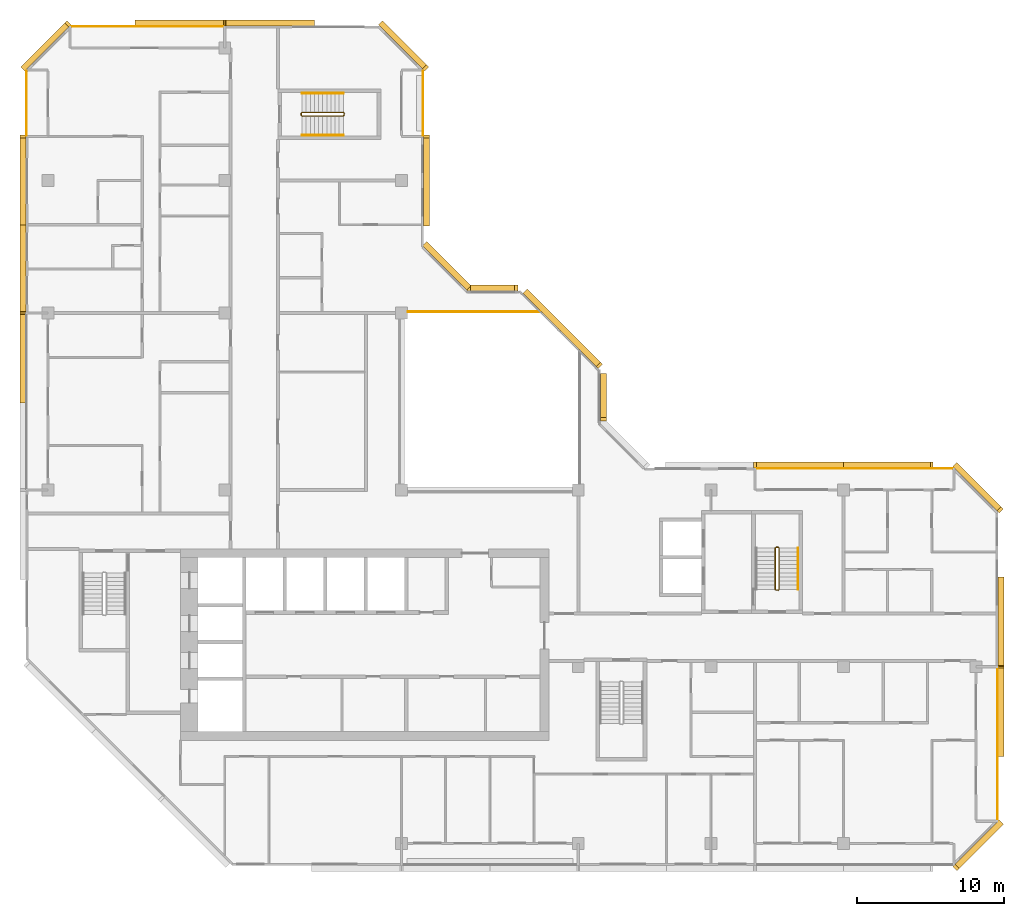
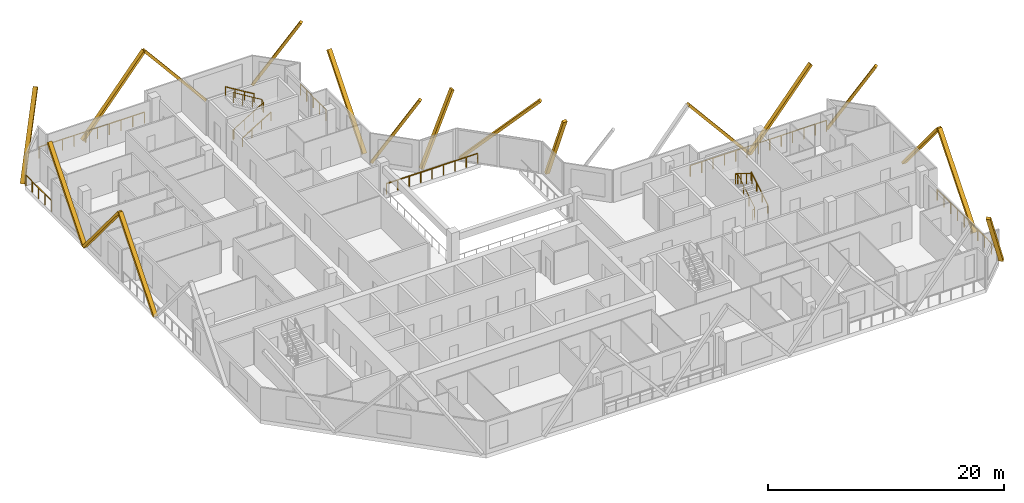
# One storey, part 13 of 13: 18 coverings, 11 railings.
"""IFC4 building model written with IfcOpenShell, lengths in metres."""

from ifc_helpers import new_model, si_unit, direction, frame, origin, origin_2d, place, context, subcontext, project, spatial, rectangle, extrude, material, material_profile, profile_set, type_object, element, save


model = new_model("IFC4")

# Units and contexts
model_context = context("Model", 3, precision=1e-05, world=origin(), true_north=direction((0.0, 1.0)))
body_context = subcontext(model_context, "Body", "Model", "MODEL_VIEW")
ifc_project = project(units=[si_unit("LENGTHUNIT", "METRE"), si_unit("AREAUNIT", "SQUARE_METRE"), si_unit("VOLUMEUNIT", "CUBIC_METRE"), si_unit("PLANEANGLEUNIT", "RADIAN"), si_unit("MASSUNIT", "GRAM", prefix="KILO")], contexts=[model_context])

# Site, building, storey
site_placement = place(None, origin())
site = spatial("IfcSite", under=ifc_project, at=site_placement, CompositionType="ELEMENT")
building_placement = place(site_placement, origin())
building = spatial("IfcBuilding", under=site, at=building_placement, Name="Chenar Terraces", CompositionType="ELEMENT")
storey_placement = place(building_placement, frame((0.0, 0.0, 288.39990234375)))
storey = spatial("IfcBuildingStorey", under=building, at=storey_placement, Name="L67", CompositionType="ELEMENT", Elevation=288.39990234375)

# Railings
ifc_material_1 = material(Name="Powder-coated steel", Category="steel")
railing_type_1 = type_object("IfcRailingType", Name="Guard 1100 steel rail with glass infill", PredefinedType="GUARDRAIL", material=ifc_material_1)
railing_1_placement = place(storey_placement, frame((24.449951171875, 36.10009765625, 0.0)))
element("IfcRailing", 1, at=railing_1_placement, inside=storey, type_object=railing_type_1, Name="Guard L67-2", PredefinedType="GUARDRAIL", context=body_context, shape_type="SweptSolid", body=[
    extrude(rectangle(XDim=0.06005859375, YDim=0.06005859375, at=origin_2d()), frame((0.0, 0.0, 1.070068359375), z_axis=(1.0, 0.0, 0.0), x_axis=(0.0, 1.0, 0.0)), (0.0, 0.0, 1.0), 8.949951171875),
    extrude(rectangle(XDim=0.050048828125, YDim=0.050048828125, at=origin_2d()), origin(), (0.0, 0.0, 1.0), 1.0400390625),
    extrude(rectangle(XDim=0.050048828125, YDim=0.050048828125, at=origin_2d()), frame((1.11865234375, 0.0, 0.0)), (0.0, 0.0, 1.0), 1.0400390625),
    extrude(rectangle(XDim=0.050048828125, YDim=0.050048828125, at=origin_2d()), frame((2.237548828125, 0.0, 0.0)), (0.0, 0.0, 1.0), 1.0400390625),
    extrude(rectangle(XDim=0.050048828125, YDim=0.050048828125, at=origin_2d()), frame((3.356201171875, 0.0, 0.0)), (0.0, 0.0, 1.0), 1.0400390625),
    extrude(rectangle(XDim=0.050048828125, YDim=0.050048828125, at=origin_2d()), frame((4.47509765625, 0.0, 0.0)), (0.0, 0.0, 1.0), 1.0400390625),
    extrude(rectangle(XDim=0.050048828125, YDim=0.050048828125, at=origin_2d()), frame((5.59375, 0.0, 0.0)), (0.0, 0.0, 1.0), 1.0400390625),
    extrude(rectangle(XDim=0.050048828125, YDim=0.050048828125, at=origin_2d()), frame((6.71240234375, 0.0, 0.0)), (0.0, 0.0, 1.0), 1.0400390625),
    extrude(rectangle(XDim=0.050048828125, YDim=0.050048828125, at=origin_2d()), frame((7.831298828125, 0.0, 0.0)), (0.0, 0.0, 1.0), 1.0400390625),
    extrude(rectangle(XDim=0.050048828125, YDim=0.050048828125, at=origin_2d()), frame((8.949951171875, 0.0, 0.0)), (0.0, 0.0, 1.0), 1.0400390625),
])
ifc_material_2 = material(Name="Stainless steel and glass", Category="steel")
railing_type_2 = type_object("IfcRailingType", Name="Loggia guard 1150", PredefinedType="GUARDRAIL", material=ifc_material_2)
railing_2_placement = place(storey_placement, frame((25.449951171875, 48.074951171875, 0.0)))
element("IfcRailing", 2, at=railing_2_placement, inside=storey, type_object=railing_type_2, Name="Loggia guard", PredefinedType="GUARDRAIL", context=body_context, shape_type="SweptSolid", body=[
    extrude(rectangle(XDim=0.048095703125, YDim=0.048095703125, at=origin_2d()), frame((0.0, 0.0, 1.1259765625), z_axis=(0.0, 1.0, 0.0), x_axis=(-1.0, 0.0, 0.0)), (0.0, 0.0, 1.0), 4.35009765625),
    extrude(rectangle(XDim=0.0419921875, YDim=0.0419921875, at=origin_2d()), origin(), (0.0, 0.0, 1.0), 1.101806640625),
    extrude(rectangle(XDim=0.0419921875, YDim=0.0419921875, at=origin_2d()), frame((0.0, 1.08740234375, 0.0)), (0.0, 0.0, 1.0), 1.101806640625),
    extrude(rectangle(XDim=0.0419921875, YDim=0.0419921875, at=origin_2d()), frame((0.0, 2.175048828125, 0.0)), (0.0, 0.0, 1.0), 1.101806640625),
    extrude(rectangle(XDim=0.0419921875, YDim=0.0419921875, at=origin_2d()), frame((0.0, 3.2626953125, 0.0)), (0.0, 0.0, 1.0), 1.101806640625),
    extrude(rectangle(XDim=0.0419921875, YDim=0.0419921875, at=origin_2d()), frame((0.0, 4.35009765625, 0.0)), (0.0, 0.0, 1.0), 1.101806640625),
])
railing_3_placement = place(storey_placement, frame((64.449951171875, 1.574951171875, 0.0)))
element("IfcRailing", 3, at=railing_3_placement, inside=storey, type_object=railing_type_2, Name="Loggia guard", PredefinedType="GUARDRAIL", context=body_context, shape_type="SweptSolid", body=[
    extrude(rectangle(XDim=0.048095703125, YDim=0.048095703125, at=origin_2d()), frame((0.0, 0.0, 1.1259765625), z_axis=(0.0, 1.0, 0.0), x_axis=(-1.0, 0.0, 0.0)), (0.0, 0.0, 1.0), 10.35009765625),
    extrude(rectangle(XDim=0.0419921875, YDim=0.0419921875, at=origin_2d()), origin(), (0.0, 0.0, 1.0), 1.101806640625),
    extrude(rectangle(XDim=0.0419921875, YDim=0.0419921875, at=origin_2d()), frame((0.0, 1.14990234375, 0.0)), (0.0, 0.0, 1.0), 1.101806640625),
    extrude(rectangle(XDim=0.0419921875, YDim=0.0419921875, at=origin_2d()), frame((0.0, 2.300048828125, 0.0)), (0.0, 0.0, 1.0), 1.101806640625),
    extrude(rectangle(XDim=0.0419921875, YDim=0.0419921875, at=origin_2d()), frame((0.0, 3.449951171875, 0.0)), (0.0, 0.0, 1.0), 1.101806640625),
    extrude(rectangle(XDim=0.0419921875, YDim=0.0419921875, at=origin_2d()), frame((0.0, 4.60009765625, 0.0)), (0.0, 0.0, 1.0), 1.101806640625),
    extrude(rectangle(XDim=0.0419921875, YDim=0.0419921875, at=origin_2d()), frame((0.0, 5.75, 0.0)), (0.0, 0.0, 1.0), 1.101806640625),
    extrude(rectangle(XDim=0.0419921875, YDim=0.0419921875, at=origin_2d()), frame((0.0, 6.900146484375, 0.0)), (0.0, 0.0, 1.0), 1.101806640625),
    extrude(rectangle(XDim=0.0419921875, YDim=0.0419921875, at=origin_2d()), frame((0.0, 8.050048828125, 0.0)), (0.0, 0.0, 1.0), 1.101806640625),
    extrude(rectangle(XDim=0.0419921875, YDim=0.0419921875, at=origin_2d()), frame((0.0, 9.2001953125, 0.0)), (0.0, 0.0, 1.0), 1.101806640625),
    extrude(rectangle(XDim=0.0419921875, YDim=0.0419921875, at=origin_2d()), frame((0.0, 10.35009765625, 0.0)), (0.0, 0.0, 1.0), 1.101806640625),
])
railing_4_placement = place(storey_placement, frame((61.425048828125, 25.449951171875, 0.0)))
element("IfcRailing", 4, at=railing_4_placement, inside=storey, type_object=railing_type_2, Name="Loggia guard", PredefinedType="GUARDRAIL", context=body_context, shape_type="SweptSolid", body=[
    extrude(rectangle(XDim=0.048095703125, YDim=0.048095703125, at=origin_2d()), frame((0.0, 0.0, 1.1259765625), z_axis=(-1.0, 0.0, 0.0), x_axis=(0.0, -1.0, 0.0)), (0.0, 0.0, 1.0), 13.35009765625),
    extrude(rectangle(XDim=0.0419921875, YDim=0.0419921875, at=origin_2d()), origin(), (0.0, 0.0, 1.0), 1.101806640625),
    extrude(rectangle(XDim=0.0419921875, YDim=0.0419921875, at=origin_2d()), frame((-1.112548828125, 0.0, 0.0)), (0.0, 0.0, 1.0), 1.101806640625),
    extrude(rectangle(XDim=0.0419921875, YDim=0.0419921875, at=origin_2d()), frame((-2.22509765625, 0.0, 0.0)), (0.0, 0.0, 1.0), 1.101806640625),
    extrude(rectangle(XDim=0.0419921875, YDim=0.0419921875, at=origin_2d()), frame((-3.33740234375, 0.0, 0.0)), (0.0, 0.0, 1.0), 1.101806640625),
    extrude(rectangle(XDim=0.0419921875, YDim=0.0419921875, at=origin_2d()), frame((-4.449951171875, 0.0, 0.0)), (0.0, 0.0, 1.0), 1.101806640625),
    extrude(rectangle(XDim=0.0419921875, YDim=0.0419921875, at=origin_2d()), frame((-5.5625, 0.0, 0.0)), (0.0, 0.0, 1.0), 1.101806640625),
    extrude(rectangle(XDim=0.0419921875, YDim=0.0419921875, at=origin_2d()), frame((-6.675048828125, 0.0, 0.0)), (0.0, 0.0, 1.0), 1.101806640625),
    extrude(rectangle(XDim=0.0419921875, YDim=0.0419921875, at=origin_2d()), frame((-7.78759765625, 0.0, 0.0)), (0.0, 0.0, 1.0), 1.101806640625),
    extrude(rectangle(XDim=0.0419921875, YDim=0.0419921875, at=origin_2d()), frame((-8.900146484375, 0.0, 0.0)), (0.0, 0.0, 1.0), 1.101806640625),
    extrude(rectangle(XDim=0.0419921875, YDim=0.0419921875, at=origin_2d()), frame((-10.0126953125, 0.0, 0.0)), (0.0, 0.0, 1.0), 1.101806640625),
    extrude(rectangle(XDim=0.0419921875, YDim=0.0419921875, at=origin_2d()), frame((-11.125, 0.0, 0.0)), (0.0, 0.0, 1.0), 1.101806640625),
    extrude(rectangle(XDim=0.0419921875, YDim=0.0419921875, at=origin_2d()), frame((-12.237548828125, 0.0, 0.0)), (0.0, 0.0, 1.0), 1.101806640625),
    extrude(rectangle(XDim=0.0419921875, YDim=0.0419921875, at=origin_2d()), frame((-13.35009765625, 0.0, 0.0)), (0.0, 0.0, 1.0), 1.101806640625),
])
railing_5_placement = place(storey_placement, frame((11.925048828125, 55.449951171875, 0.0)))
element("IfcRailing", 5, at=railing_5_placement, inside=storey, type_object=railing_type_2, Name="Loggia guard", PredefinedType="GUARDRAIL", context=body_context, shape_type="SweptSolid", body=[
    extrude(rectangle(XDim=0.048095703125, YDim=0.048095703125, at=origin_2d()), frame((0.0, 0.0, 1.1259765625), z_axis=(-1.0, 0.0, 0.0), x_axis=(0.0, -1.0, 0.0)), (0.0, 0.0, 1.0), 10.35009765625),
    extrude(rectangle(XDim=0.0419921875, YDim=0.0419921875, at=origin_2d()), origin(), (0.0, 0.0, 1.0), 1.101806640625),
    extrude(rectangle(XDim=0.0419921875, YDim=0.0419921875, at=origin_2d()), frame((-1.14990234375, 0.0, 0.0)), (0.0, 0.0, 1.0), 1.101806640625),
    extrude(rectangle(XDim=0.0419921875, YDim=0.0419921875, at=origin_2d()), frame((-2.300048828125, 0.0, 0.0)), (0.0, 0.0, 1.0), 1.101806640625),
    extrude(rectangle(XDim=0.0419921875, YDim=0.0419921875, at=origin_2d()), frame((-3.449951171875, 0.0, 0.0)), (0.0, 0.0, 1.0), 1.101806640625),
    extrude(rectangle(XDim=0.0419921875, YDim=0.0419921875, at=origin_2d()), frame((-4.60009765625, 0.0, 0.0)), (0.0, 0.0, 1.0), 1.101806640625),
    extrude(rectangle(XDim=0.0419921875, YDim=0.0419921875, at=origin_2d()), frame((-5.75, 0.0, 0.0)), (0.0, 0.0, 1.0), 1.101806640625),
    extrude(rectangle(XDim=0.0419921875, YDim=0.0419921875, at=origin_2d()), frame((-6.900146484375, 0.0, 0.0)), (0.0, 0.0, 1.0), 1.101806640625),
    extrude(rectangle(XDim=0.0419921875, YDim=0.0419921875, at=origin_2d()), frame((-8.050048828125, 0.0, 0.0)), (0.0, 0.0, 1.0), 1.101806640625),
    extrude(rectangle(XDim=0.0419921875, YDim=0.0419921875, at=origin_2d()), frame((-9.2001953125, 0.0, 0.0)), (0.0, 0.0, 1.0), 1.101806640625),
    extrude(rectangle(XDim=0.0419921875, YDim=0.0419921875, at=origin_2d()), frame((-10.35009765625, 0.0, 0.0)), (0.0, 0.0, 1.0), 1.101806640625),
])
railing_6_placement = place(storey_placement, frame((-1.449951171875, 52.425048828125, 0.0)))
element("IfcRailing", 6, at=railing_6_placement, inside=storey, type_object=railing_type_2, Name="Loggia guard", PredefinedType="GUARDRAIL", context=body_context, shape_type="SweptSolid", body=[
    extrude(rectangle(XDim=0.048095703125, YDim=0.048095703125, at=origin_2d()), frame((0.0, 0.0, 1.1259765625), z_axis=(0.0, -1.0, 0.0), x_axis=(1.0, 0.0, 0.0)), (0.0, 0.0, 1.0), 4.35009765625),
    extrude(rectangle(XDim=0.0419921875, YDim=0.0419921875, at=origin_2d()), origin(), (0.0, 0.0, 1.0), 1.101806640625),
    extrude(rectangle(XDim=0.0419921875, YDim=0.0419921875, at=origin_2d()), frame((0.0, -1.08740234375, 0.0)), (0.0, 0.0, 1.0), 1.101806640625),
    extrude(rectangle(XDim=0.0419921875, YDim=0.0419921875, at=origin_2d()), frame((0.0, -2.175048828125, 0.0)), (0.0, 0.0, 1.0), 1.101806640625),
    extrude(rectangle(XDim=0.0419921875, YDim=0.0419921875, at=origin_2d()), frame((0.0, -3.2626953125, 0.0)), (0.0, 0.0, 1.0), 1.101806640625),
    extrude(rectangle(XDim=0.0419921875, YDim=0.0419921875, at=origin_2d()), frame((0.0, -4.35009765625, 0.0)), (0.0, 0.0, 1.0), 1.101806640625),
])
ifc_material_3 = material(Name="Powder-coated steel", Category="steel")
railing_type_3 = type_object("IfcRailingType", Name="Stair guard 1100", PredefinedType="GUARDRAIL", material=ifc_material_3)
railing_7_placement = place(storey_placement, frame((49.375, 17.25, 3.75)))
element("IfcRailing", 7, at=railing_7_placement, inside=storey, type_object=railing_type_3, Name="L67 ST3 stair guard 1", PredefinedType="GUARDRAIL", context=body_context, shape_type="SweptSolid", body=[
    extrude(rectangle(XDim=0.048095703125, YDim=0.048095703125, at=origin_2d()), frame((0.0, 0.0, 1.076171875), z_axis=(0.0, 0.854202870247, -0.519939858505), x_axis=(-1.0, 0.0, 0.0)), (0.0, 0.0, 1.0), 3.278076171875),
    extrude(rectangle(XDim=0.048095703125, YDim=0.048095703125, at=origin_2d()), frame((0.0, 2.800048828125, -0.62841796875), z_axis=(0.270899902878, 0.270899902878, -0.923702595667), x_axis=(-0.707106781187, 0.707106781187, 0.0)), (0.0, 0.0, 1.0), 0.184814453125),
    extrude(rectangle(XDim=0.048095703125, YDim=0.048095703125, at=origin_2d()), frame((0.050048828125, 2.85009765625, -0.798828125), z_axis=(1.0, 0.0, 0.0), x_axis=(0.0, 1.0, 0.0)), (0.0, 0.0, 1.0), 0.14990234375),
    extrude(rectangle(XDim=0.048095703125, YDim=0.048095703125, at=origin_2d()), frame((0.199951171875, 2.85009765625, -0.798828125), z_axis=(0.707106781187, -0.707106781187, 0.0), x_axis=(0.707106781187, 0.707106781187, 0.0)), (0.0, 0.0, 1.0), 0.07080078125),
    extrude(rectangle(XDim=0.048095703125, YDim=0.048095703125, at=origin_2d()), frame((0.25, 2.800048828125, -0.798828125), z_axis=(0.0, -0.854202870247, -0.519939858505), x_axis=(1.0, 0.0, 0.0)), (0.0, 0.0, 1.0), 3.278076171875),
    extrude(rectangle(XDim=0.048095703125, YDim=0.048095703125, at=origin_2d()), frame((0.25, 0.0, -2.50341796875), z_axis=(-0.270899902878, -0.270899902878, -0.923702595667), x_axis=(0.707106781187, -0.707106781187, 0.0)), (0.0, 0.0, 1.0), 0.184814453125),
    extrude(rectangle(XDim=0.048095703125, YDim=0.048095703125, at=origin_2d()), frame((0.199951171875, -0.050048828125, -2.673828125), z_axis=(-1.0, 0.0, 0.0), x_axis=(0.0, -1.0, 0.0)), (0.0, 0.0, 1.0), 0.14990234375),
    extrude(rectangle(XDim=0.0419921875, YDim=0.0419921875, at=origin_2d()), origin(), (0.0, 0.0, 1.0), 1.052001953125),
    extrude(rectangle(XDim=0.0419921875, YDim=0.0419921875, at=origin_2d()), frame((0.0, 0.933349609375, -0.568115234375)), (0.0, 0.0, 1.0), 1.052001953125),
    extrude(rectangle(XDim=0.0419921875, YDim=0.0419921875, at=origin_2d()), frame((0.0, 1.86669921875, -1.13623046875)), (0.0, 0.0, 1.0), 1.052001953125),
    extrude(rectangle(XDim=0.0419921875, YDim=0.0419921875, at=origin_2d()), frame((0.0, 2.800048828125, -1.704345703125)), (0.0, 0.0, 1.0), 1.052001953125),
    extrude(rectangle(XDim=0.0419921875, YDim=0.0419921875, at=origin_2d()), frame((0.050048828125, 2.85009765625, -1.875)), (0.0, 0.0, 1.0), 1.052001953125),
    extrude(rectangle(XDim=0.0419921875, YDim=0.0419921875, at=origin_2d()), frame((0.199951171875, 2.85009765625, -1.875)), (0.0, 0.0, 1.0), 1.052001953125),
    extrude(rectangle(XDim=0.0419921875, YDim=0.0419921875, at=origin_2d()), frame((0.25, 2.800048828125, -1.875)), (0.0, 0.0, 1.0), 1.052001953125),
    extrude(rectangle(XDim=0.0419921875, YDim=0.0419921875, at=origin_2d()), frame((0.25, 1.86669921875, -2.443115234375)), (0.0, 0.0, 1.0), 1.052001953125),
    extrude(rectangle(XDim=0.0419921875, YDim=0.0419921875, at=origin_2d()), frame((0.25, 0.933349609375, -3.01123046875)), (0.0, 0.0, 1.0), 1.052001953125),
    extrude(rectangle(XDim=0.0419921875, YDim=0.0419921875, at=origin_2d()), frame((0.25, 0.0, -3.579345703125)), (0.0, 0.0, 1.0), 1.052001953125),
    extrude(rectangle(XDim=0.0419921875, YDim=0.0419921875, at=origin_2d()), frame((0.199951171875, -0.050048828125, -3.75)), (0.0, 0.0, 1.0), 1.052001953125),
    extrude(rectangle(XDim=0.0419921875, YDim=0.0419921875, at=origin_2d()), frame((0.050048828125, -0.050048828125, -3.75)), (0.0, 0.0, 1.0), 1.052001953125),
])
railing_8_placement = place(storey_placement, frame((17.25, 49.625, 3.75)))
element("IfcRailing", 8, at=railing_8_placement, inside=storey, type_object=railing_type_3, Name="L67 ST4 stair guard 1", PredefinedType="GUARDRAIL", context=body_context, shape_type="SweptSolid", body=[
    extrude(rectangle(XDim=0.048095703125, YDim=0.048095703125, at=origin_2d()), frame((0.0, 0.0, 1.076171875), z_axis=(0.854202870247, 0.0, -0.519939858505), x_axis=(0.0, 1.0, 0.0)), (0.0, 0.0, 1.0), 3.278076171875),
    extrude(rectangle(XDim=0.048095703125, YDim=0.048095703125, at=origin_2d()), frame((2.800048828125, 0.0, -0.62841796875), z_axis=(0.270899902878, -0.270899902878, -0.923702595667), x_axis=(0.707106781187, 0.707106781187, 0.0)), (0.0, 0.0, 1.0), 0.184814453125),
    extrude(rectangle(XDim=0.048095703125, YDim=0.048095703125, at=origin_2d()), frame((2.85009765625, -0.050048828125, -0.798828125), z_axis=(0.0, -1.0, 0.0), x_axis=(1.0, 0.0, 0.0)), (0.0, 0.0, 1.0), 0.14990234375),
    extrude(rectangle(XDim=0.048095703125, YDim=0.048095703125, at=origin_2d()), frame((2.85009765625, -0.199951171875, -0.798828125), z_axis=(-0.707106781187, -0.707106781187, 0.0), x_axis=(0.707106781187, -0.707106781187, 0.0)), (0.0, 0.0, 1.0), 0.07080078125),
    extrude(rectangle(XDim=0.048095703125, YDim=0.048095703125, at=origin_2d()), frame((2.800048828125, -0.25, -0.798828125), z_axis=(-0.854202870247, 0.0, -0.519939858505), x_axis=(0.0, -1.0, 0.0)), (0.0, 0.0, 1.0), 3.278076171875),
    extrude(rectangle(XDim=0.048095703125, YDim=0.048095703125, at=origin_2d()), frame((0.0, -0.25, -2.50341796875), z_axis=(-0.270899902878, 0.270899902878, -0.923702595667), x_axis=(-0.707106781187, -0.707106781187, 0.0)), (0.0, 0.0, 1.0), 0.184814453125),
    extrude(rectangle(XDim=0.048095703125, YDim=0.048095703125, at=origin_2d()), frame((-0.050048828125, -0.199951171875, -2.673828125), z_axis=(0.0, 1.0, 0.0), x_axis=(-1.0, 0.0, 0.0)), (0.0, 0.0, 1.0), 0.14990234375),
    extrude(rectangle(XDim=0.0419921875, YDim=0.0419921875, at=origin_2d()), origin(), (0.0, 0.0, 1.0), 1.052001953125),
    extrude(rectangle(XDim=0.0419921875, YDim=0.0419921875, at=origin_2d()), frame((0.933349609375, 0.0, -0.568115234375)), (0.0, 0.0, 1.0), 1.052001953125),
    extrude(rectangle(XDim=0.0419921875, YDim=0.0419921875, at=origin_2d()), frame((1.86669921875, 0.0, -1.13623046875)), (0.0, 0.0, 1.0), 1.052001953125),
    extrude(rectangle(XDim=0.0419921875, YDim=0.0419921875, at=origin_2d()), frame((2.800048828125, 0.0, -1.704345703125)), (0.0, 0.0, 1.0), 1.052001953125),
    extrude(rectangle(XDim=0.0419921875, YDim=0.0419921875, at=origin_2d()), frame((2.85009765625, -0.050048828125, -1.875)), (0.0, 0.0, 1.0), 1.052001953125),
    extrude(rectangle(XDim=0.0419921875, YDim=0.0419921875, at=origin_2d()), frame((2.85009765625, -0.199951171875, -1.875)), (0.0, 0.0, 1.0), 1.052001953125),
    extrude(rectangle(XDim=0.0419921875, YDim=0.0419921875, at=origin_2d()), frame((2.800048828125, -0.25, -1.875)), (0.0, 0.0, 1.0), 1.052001953125),
    extrude(rectangle(XDim=0.0419921875, YDim=0.0419921875, at=origin_2d()), frame((1.86669921875, -0.25, -2.443115234375)), (0.0, 0.0, 1.0), 1.052001953125),
    extrude(rectangle(XDim=0.0419921875, YDim=0.0419921875, at=origin_2d()), frame((0.933349609375, -0.25, -3.01123046875)), (0.0, 0.0, 1.0), 1.052001953125),
    extrude(rectangle(XDim=0.0419921875, YDim=0.0419921875, at=origin_2d()), frame((0.0, -0.25, -3.579345703125)), (0.0, 0.0, 1.0), 1.052001953125),
    extrude(rectangle(XDim=0.0419921875, YDim=0.0419921875, at=origin_2d()), frame((-0.050048828125, -0.199951171875, -3.75)), (0.0, 0.0, 1.0), 1.052001953125),
    extrude(rectangle(XDim=0.0419921875, YDim=0.0419921875, at=origin_2d()), frame((-0.050048828125, -0.050048828125, -3.75)), (0.0, 0.0, 1.0), 1.052001953125),
])
ifc_material_4 = material(Name="Powder-coated steel", Category="steel")
railing_type_4 = type_object("IfcRailingType", Name="Stair handrail 900", PredefinedType="HANDRAIL", material=ifc_material_4)
railing_9_placement = place(storey_placement, frame((50.925048828125, 17.25, 0.170654296875)))
element("IfcRailing", 9, at=railing_9_placement, inside=storey, type_object=railing_type_4, Name="L67 ST3 stair handrail 1", PredefinedType="HANDRAIL", context=body_context, shape_type="SweptSolid", body=[
    extrude(rectangle(XDim=0.048095703125, YDim=0.048095703125, at=origin_2d()), frame((0.0, 0.0, 0.8759765625), z_axis=(0.0, 0.854202870247, 0.519939858505), x_axis=(-1.0, 0.0, 0.0)), (0.0, 0.0, 1.0), 3.278076171875),
    extrude(rectangle(XDim=0.0419921875, YDim=0.0419921875, at=origin_2d()), origin(), (0.0, 0.0, 1.0), 0.851806640625),
    extrude(rectangle(XDim=0.0419921875, YDim=0.0419921875, at=origin_2d()), frame((0.0, 0.933349609375, 0.568115234375)), (0.0, 0.0, 1.0), 0.851806640625),
    extrude(rectangle(XDim=0.0419921875, YDim=0.0419921875, at=origin_2d()), frame((0.0, 1.86669921875, 1.13623046875)), (0.0, 0.0, 1.0), 0.851806640625),
    extrude(rectangle(XDim=0.0419921875, YDim=0.0419921875, at=origin_2d()), frame((0.0, 2.800048828125, 1.704345703125)), (0.0, 0.0, 1.0), 0.851806640625),
])
railing_10_placement = place(storey_placement, frame((17.25, 48.074951171875, 0.170654296875)))
element("IfcRailing", 10, at=railing_10_placement, inside=storey, type_object=railing_type_4, Name="L67 ST4 stair handrail 1", PredefinedType="HANDRAIL", context=body_context, shape_type="SweptSolid", body=[
    extrude(rectangle(XDim=0.048095703125, YDim=0.048095703125, at=origin_2d()), frame((0.0, 0.0, 0.8759765625), z_axis=(0.854202870247, 0.0, 0.519939858505), x_axis=(0.0, 1.0, 0.0)), (0.0, 0.0, 1.0), 3.278076171875),
    extrude(rectangle(XDim=0.0419921875, YDim=0.0419921875, at=origin_2d()), origin(), (0.0, 0.0, 1.0), 0.851806640625),
    extrude(rectangle(XDim=0.0419921875, YDim=0.0419921875, at=origin_2d()), frame((0.933349609375, 0.0, 0.568115234375)), (0.0, 0.0, 1.0), 0.851806640625),
    extrude(rectangle(XDim=0.0419921875, YDim=0.0419921875, at=origin_2d()), frame((1.86669921875, 0.0, 1.13623046875)), (0.0, 0.0, 1.0), 0.851806640625),
    extrude(rectangle(XDim=0.0419921875, YDim=0.0419921875, at=origin_2d()), frame((2.800048828125, 0.0, 1.704345703125)), (0.0, 0.0, 1.0), 0.851806640625),
])
railing_11_placement = place(storey_placement, frame((20.050048828125, 50.925048828125, 2.045654296875)))
element("IfcRailing", 11, at=railing_11_placement, inside=storey, type_object=railing_type_4, Name="L67 ST4 stair handrail 2", PredefinedType="HANDRAIL", context=body_context, shape_type="SweptSolid", body=[
    extrude(rectangle(XDim=0.048095703125, YDim=0.048095703125, at=origin_2d()), frame((0.0, 0.0, 0.8759765625), z_axis=(-0.854202870247, 0.0, 0.519939858505), x_axis=(0.0, -1.0, 0.0)), (0.0, 0.0, 1.0), 3.278076171875),
    extrude(rectangle(XDim=0.0419921875, YDim=0.0419921875, at=origin_2d()), origin(), (0.0, 0.0, 1.0), 0.851806640625),
    extrude(rectangle(XDim=0.0419921875, YDim=0.0419921875, at=origin_2d()), frame((-0.933349609375, 0.0, 0.568115234375)), (0.0, 0.0, 1.0), 0.851806640625),
    extrude(rectangle(XDim=0.0419921875, YDim=0.0419921875, at=origin_2d()), frame((-1.86669921875, 0.0, 1.13623046875)), (0.0, 0.0, 1.0), 0.851806640625),
    extrude(rectangle(XDim=0.0419921875, YDim=0.0419921875, at=origin_2d()), frame((-2.800048828125, 0.0, 1.704345703125)), (0.0, 0.0, 1.0), 0.851806640625),
])

# Coverings
ifc_material_5 = material(Name="Terracotta", Category="masonry")
ifc_material_profile = material_profile(ifc_material_5, rectangle(XDim=0.39990234375, YDim=0.25, at=origin_2d()), Name="Terracotta baguette 400 x 250")
ifc_profile_set = profile_set([ifc_material_profile], Name="Terracotta")
covering_type = type_object("IfcCoveringType", Name="Terracotta baguette 400 x 250", PredefinedType="CLADDING", material=ifc_profile_set)
for number, where, z_axis, x_axis, name in (
    (12, (60.0, 25.699951171875, 7.35009765625), (-0.640186961885, 0.0, -0.768219144407), (0.0, -1.0, 0.0), "Terracotta baguette"),
    (13, (54.0, 25.699951171875, 0.150146484375), (-0.640186961885, 0.0, 0.768219144407), (0.0, -1.0, 0.0), "Terracotta baguette"),
):
    element("IfcCovering", number, at=place(storey_placement, frame(where, z_axis=z_axis, x_axis=x_axis)), inside=storey, type_object=covering_type, Name=name, PredefinedType="CLADDING", context=body_context, shape_type="SweptSolid", body=[
        extrude(rectangle(XDim=0.39990234375, YDim=0.25, at=origin_2d()), origin(), (0.0, 0.0, 1.0), 9.372314453125),
    ])
covering_1_placement = place(storey_placement, frame((37.699951171875, 28.800048828125, 7.35009765625), z_axis=(0.0, 0.384617607118, -0.923075997031), x_axis=(-1.0, 0.0, 0.0)))
element("IfcCovering", 14, at=covering_1_placement, inside=storey, type_object=covering_type, Name="Terracotta baguette", PredefinedType="CLADDING", context=body_context, shape_type="SweptSolid", body=[
    extrude(rectangle(XDim=0.39990234375, YDim=0.25, at=origin_2d()), origin(), (0.0, 0.0, 1.0), 7.800048828125),
])
covering_2_placement = place(storey_placement, frame((37.42919921875, 32.45361328125, 7.35009765625), z_axis=(-0.494222393737, 0.4942466441, -0.715167449151), x_axis=(-0.707124128605, -0.707089433343, 0.0)))
element("IfcCovering", 15, at=covering_2_placement, inside=storey, type_object=covering_type, Name="Terracotta baguette", PredefinedType="CLADDING", context=body_context, shape_type="SweptSolid", body=[
    extrude(rectangle(XDim=0.39990234375, YDim=0.25, at=origin_2d()), origin(), (0.0, 0.0, 1.0), 10.0673828125),
])
covering_3_placement = place(storey_placement, frame((31.800048828125, 37.699951171875, 7.35009765625), z_axis=(-0.384617607118, 0.0, -0.923075997031), x_axis=(0.0, -1.0, 0.0)))
element("IfcCovering", 16, at=covering_3_placement, inside=storey, type_object=covering_type, Name="Terracotta baguette", PredefinedType="CLADDING", context=body_context, shape_type="SweptSolid", body=[
    extrude(rectangle(XDim=0.39990234375, YDim=0.25, at=origin_2d()), origin(), (0.0, 0.0, 1.0), 7.800048828125),
])
covering_4_placement = place(storey_placement, frame((28.641357421875, 37.641357421875, 7.35009765625), z_axis=(-0.358980886355, 0.358980886355, -0.861548284464), x_axis=(-0.707106781187, -0.707106781187, 0.0)))
element("IfcCovering", 17, at=covering_4_placement, inside=storey, type_object=covering_type, Name="Terracotta baguette", PredefinedType="CLADDING", context=body_context, shape_type="SweptSolid", body=[
    extrude(rectangle(XDim=0.39990234375, YDim=0.25, at=origin_2d()), origin(), (0.0, 0.0, 1.0), 8.35693359375),
])
covering_5_placement = place(storey_placement, frame((25.699951171875, 42.0, 0.150146484375), z_axis=(0.0, 0.640186961885, 0.768219144407), x_axis=(-1.0, 0.0, 0.0)))
element("IfcCovering", 18, at=covering_5_placement, inside=storey, type_object=covering_type, Name="Terracotta baguette", PredefinedType="CLADDING", context=body_context, shape_type="SweptSolid", body=[
    extrude(rectangle(XDim=0.39990234375, YDim=0.25, at=origin_2d()), origin(), (0.0, 0.0, 1.0), 9.372314453125),
])
covering_6_placement = place(storey_placement, frame((25.641357421875, 52.641357421875, 7.35009765625), z_axis=(-0.358980886355, 0.358980886355, -0.861548284464), x_axis=(-0.707106781187, -0.707106781187, 0.0)))
element("IfcCovering", 19, at=covering_6_placement, inside=storey, type_object=covering_type, Name="Terracotta baguette", PredefinedType="CLADDING", context=body_context, shape_type="SweptSolid", body=[
    extrude(rectangle(XDim=0.39990234375, YDim=0.25, at=origin_2d()), origin(), (0.0, 0.0, 1.0), 8.35693359375),
])
for number, where, z_axis, x_axis, name in (
    (20, (18.0, 55.699951171875, 0.150146484375), (-0.640186961885, 0.0, 0.768219144407), (0.0, -1.0, 0.0), "Terracotta baguette"),
    (21, (12.0, 55.699951171875, 7.35009765625), (-0.640186961885, 0.0, -0.768219144407), (0.0, -1.0, 0.0), "Terracotta baguette"),
):
    element("IfcCovering", number, at=place(storey_placement, frame(where, z_axis=z_axis, x_axis=x_axis)), inside=storey, type_object=covering_type, Name=name, PredefinedType="CLADDING", context=body_context, shape_type="SweptSolid", body=[
        extrude(rectangle(XDim=0.39990234375, YDim=0.25, at=origin_2d()), origin(), (0.0, 0.0, 1.0), 9.372314453125),
    ])
covering_7_placement = place(storey_placement, frame((1.358642578125, 55.641357421875, 7.35009765625), z_axis=(-0.358980886355, -0.358980886355, -0.861548284464), x_axis=(0.707106781187, -0.707106781187, 0.0)))
element("IfcCovering", 22, at=covering_7_placement, inside=storey, type_object=covering_type, Name="Terracotta baguette", PredefinedType="CLADDING", context=body_context, shape_type="SweptSolid", body=[
    extrude(rectangle(XDim=0.39990234375, YDim=0.25, at=origin_2d()), origin(), (0.0, 0.0, 1.0), 8.35693359375),
])
for number, where, z_axis, x_axis, name in (
    (23, (-1.699951171875, 48.0, 7.35009765625), (0.0, -0.640186961885, -0.768219144407), (1.0, 0.0, 0.0), "Terracotta baguette"),
    (24, (-1.699951171875, 42.0, 0.150146484375), (0.0, -0.640186961885, 0.768219144407), (1.0, 0.0, 0.0), "Terracotta baguette"),
    (25, (-1.699951171875, 36.0, 7.35009765625), (0.0, -0.640186961885, -0.768219144407), (1.0, 0.0, 0.0), "Terracotta baguette"),
):
    element("IfcCovering", number, at=place(storey_placement, frame(where, z_axis=z_axis, x_axis=x_axis)), inside=storey, type_object=covering_type, Name=name, PredefinedType="CLADDING", context=body_context, shape_type="SweptSolid", body=[
        extrude(rectangle(XDim=0.39990234375, YDim=0.25, at=origin_2d()), origin(), (0.0, 0.0, 1.0), 9.372314453125),
    ])
covering_8_placement = place(storey_placement, frame((61.641357421875, -1.641357421875, 7.35009765625), z_axis=(0.358980886355, 0.358980886355, -0.861548284464), x_axis=(-0.707106781187, 0.707106781187, 0.0)))
element("IfcCovering", 26, at=covering_8_placement, inside=storey, type_object=covering_type, Name="Terracotta baguette", PredefinedType="CLADDING", context=body_context, shape_type="SweptSolid", body=[
    extrude(rectangle(XDim=0.39990234375, YDim=0.25, at=origin_2d()), origin(), (0.0, 0.0, 1.0), 8.35693359375),
])
for number, where, z_axis, x_axis, name in (
    (27, (64.699951171875, 6.0, 0.150146484375), (0.0, 0.640186961885, 0.768219144407), (-1.0, 0.0, 0.0), "Terracotta baguette"),
    (28, (64.699951171875, 12.0, 7.35009765625), (0.0, 0.640186961885, -0.768219144407), (-1.0, 0.0, 0.0), "Terracotta baguette"),
):
    element("IfcCovering", number, at=place(storey_placement, frame(where, z_axis=z_axis, x_axis=x_axis)), inside=storey, type_object=covering_type, Name=name, PredefinedType="CLADDING", context=body_context, shape_type="SweptSolid", body=[
        extrude(rectangle(XDim=0.39990234375, YDim=0.25, at=origin_2d()), origin(), (0.0, 0.0, 1.0), 9.372314453125),
    ])
covering_9_placement = place(storey_placement, frame((64.641357421875, 22.641357421875, 7.35009765625), z_axis=(-0.358980886355, 0.358980886355, -0.861548284464), x_axis=(-0.707106781187, -0.707106781187, 0.0)))
element("IfcCovering", 29, at=covering_9_placement, inside=storey, type_object=covering_type, Name="Terracotta baguette", PredefinedType="CLADDING", context=body_context, shape_type="SweptSolid", body=[
    extrude(rectangle(XDim=0.39990234375, YDim=0.25, at=origin_2d()), origin(), (0.0, 0.0, 1.0), 8.35693359375),
])

save(model, "model.ifc")
